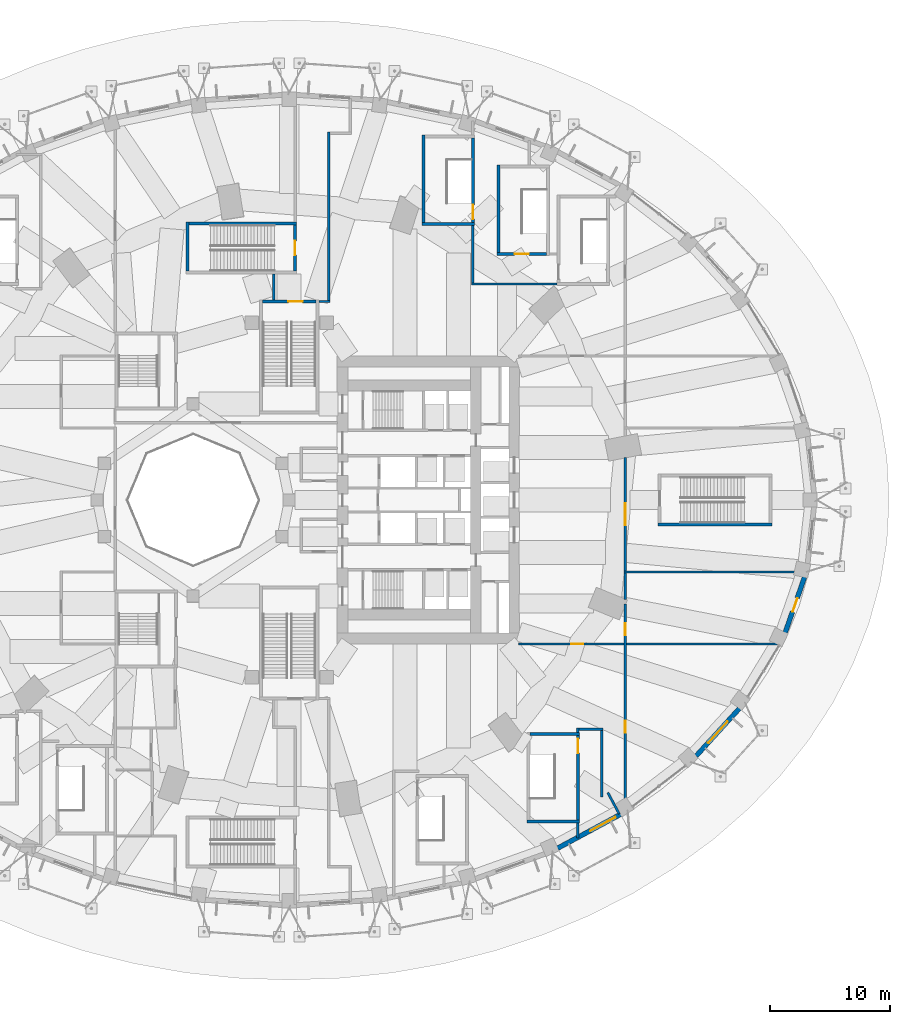
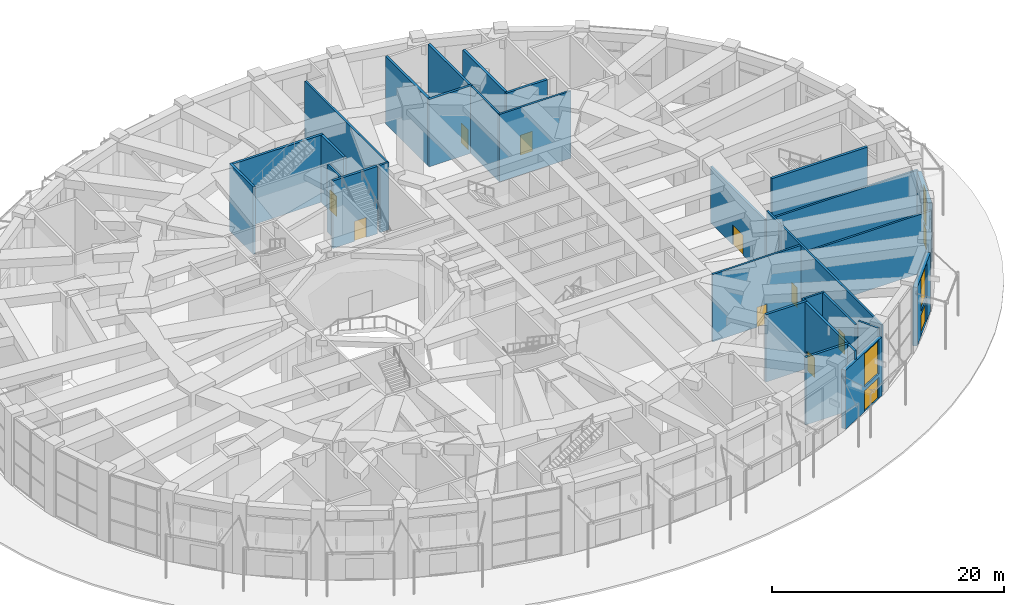
# One storey, part 38 of 60: 32 walls, 12 doors, 3 windows, 15 openings.
"""IFC4 building model written with IfcOpenShell, lengths in metres."""

from ifc_helpers import new_model, si_unit, direction, frame, frame_2d, origin, place, context, subcontext, project, spatial, rectangle, extrude, material, layer, layer_set, type_object, element, fill, save


model = new_model("IFC4")

# Units and contexts
model_context = context("Model", 3, precision=1e-05, world=origin(), true_north=direction((0.0, 1.0)))
body_context = subcontext(model_context, "Body", "Model", "MODEL_VIEW")
ifc_project = project(units=[si_unit("LENGTHUNIT", "METRE"), si_unit("AREAUNIT", "SQUARE_METRE"), si_unit("VOLUMEUNIT", "CUBIC_METRE"), si_unit("PLANEANGLEUNIT", "RADIAN"), si_unit("MASSUNIT", "GRAM", prefix="KILO")], contexts=[model_context])

# Site, building, storey
site_placement = place(None, origin())
site = spatial("IfcSite", under=ifc_project, at=site_placement, CompositionType="ELEMENT")
building_placement = place(site_placement, origin())
building = spatial("IfcBuilding", under=site, at=building_placement, Name="Taillehof Tower", CompositionType="ELEMENT")
storey_placement = place(building_placement, origin())
storey = spatial("IfcBuildingStorey", under=building, at=storey_placement, Name="L00", CompositionType="ELEMENT", Elevation=0.0)

# Wall, openings, door, window
ifc_material_1 = material(Name="Brick masonry", Category="masonry")
ifc_layer_1 = layer(ifc_material_1, 0.39990234375)
ifc_layer_set_1 = layer_set([ifc_layer_1], Name="Brick facade wall 400")
wall_type_1 = type_object("IfcWallType", Name="Brick facade wall 400", PredefinedType="SOLIDWALL", material=ifc_layer_set_1)
wall_1_placement = place(storey_placement, frame((22.365966796875, -29.018798828125, 0.0), z_axis=(0.0, 0.0, 1.0), x_axis=(0.880313157301, 0.474393028072, 0.0)))
wall_1 = element("IfcWall", 1, at=wall_1_placement, inside=storey, type_object=wall_type_1, Name="Brick wall L00 bay 31", PredefinedType="SOLIDWALL", context=body_context, shape_type="SweptSolid", body=[
    extrude(rectangle(XDim=5.9580078125, YDim=0.39990234375, at=frame_2d((2.97900390625, 0.0))), origin(), (0.0, 0.0, 1.0), 6.18994140625),
])
opening_1_placement = place(wall_1_placement, frame((3.078857421875, 0.0, 0.0)))
opening_1 = element("IfcOpeningElement", 2, at=opening_1_placement, cuts=wall_1, Name="Opening E22", PredefinedType="OPENING", context=body_context, shape_type="SweptSolid", body=[
    extrude(rectangle(XDim=2.39990234375, YDim=2.199951171875, at=frame_2d((1.199951171875, 1.10009765625))), frame((0.0, 0.2099609375, 0.0), z_axis=(0.0, -1.0, 0.0), x_axis=(1.0, 0.0, 0.0)), (0.0, 0.0, 1.0), 0.419921875),
])
opening_2_placement = place(wall_1_placement, frame((3.078857421875, 0.0, 2.60009765625)))
opening_2 = element("IfcOpeningElement", 3, at=opening_2_placement, cuts=wall_1, Name="Opening FL1", PredefinedType="OPENING", context=body_context, shape_type="SweptSolid", body=[
    extrude(rectangle(XDim=2.39990234375, YDim=3.489990234375, at=frame_2d((1.199951171875, 1.7451171875))), frame((0.0, 0.2099609375, 0.0), z_axis=(0.0, -1.0, 0.0), x_axis=(1.0, 0.0, 0.0)), (0.0, 0.0, 1.0), 0.419921875),
])
ifc_material_2 = material(Name="Aluminium door frame with clear laminated safety glass", Category="aluminium")
door_type_1 = type_object("IfcDoorType", Name="Exit door 2400x2200", OperationType="DOUBLE_DOOR_DOUBLE_SWING", PredefinedType="DOOR", material=ifc_material_2)
door_1_placement = place(opening_1_placement, frame((2.39990234375, 0.0, 0.0), z_axis=(0.0, 0.0, 1.0), x_axis=(-1.0, 0.0, 0.0)))
door_1 = element("IfcDoor", 4, at=door_1_placement, inside=storey, type_object=door_type_1, Name="Door E22", OperationType="DOUBLE_DOOR_SINGLE_SWING", OverallHeight=2.199951171875, OverallWidth=2.39990234375, PredefinedType="DOOR", context=body_context, shape_type="SweptSolid", body=[
    extrude(rectangle(XDim=2.39990234375, YDim=2.199951171875, at=frame_2d((1.199951171875, 1.10009765625))), frame((0.0, 0.0498046875, 0.0), z_axis=(0.0, -1.0, 0.0), x_axis=(1.0, 0.0, 0.0)), (0.0, 0.0, 1.0), 0.050048828125),
])
fill(opening_1, door_1)
ifc_material_3 = material(Name="Aluminium window frame with clear laminated safety glass", Category="aluminium")
window_type_1 = type_object("IfcWindowType", Name="Fixed fanlight 2400x3490", PartitioningType="SINGLE_PANEL", PredefinedType="WINDOW", material=ifc_material_3)
window_1_placement = place(opening_2_placement, origin())
window_1 = element("IfcWindow", 5, at=window_1_placement, inside=storey, type_object=window_type_1, Name="Fanlight over E22", OverallHeight=3.489990234375, OverallWidth=2.39990234375, PartitioningType="SINGLE_PANEL", PredefinedType="WINDOW", context=body_context, shape_type="SweptSolid", body=[
    extrude(rectangle(XDim=2.39990234375, YDim=3.489990234375, at=frame_2d((1.199951171875, 1.7451171875))), frame((0.0, 0.010009765625, 0.0), z_axis=(0.0, -1.0, 0.0), x_axis=(1.0, 0.0, 0.0)), (0.0, 0.0, 1.0), 0.06005859375),
])
fill(opening_2, window_1)

wall_2_placement = place(storey_placement, frame((33.90185546875, -21.33935546875, 0.0), z_axis=(0.0, 0.0, 1.0), x_axis=(0.672941720846, 0.739695505153, 0.0)))
wall_2 = element("IfcWall", 6, at=wall_2_placement, inside=storey, type_object=wall_type_1, Name="Brick wall L00 bay 33", PredefinedType="SOLIDWALL", context=body_context, shape_type="SweptSolid", body=[
    extrude(rectangle(XDim=5.376220703125, YDim=0.39990234375, at=frame_2d((2.68798828125, 0.0))), origin(), (0.0, 0.0, 1.0), 6.18994140625),
])
opening_3_placement = place(wall_2_placement, frame((1.488037109375, 0.0, 0.0)))
opening_3 = element("IfcOpeningElement", 7, at=opening_3_placement, cuts=wall_2, Name="Opening E13", PredefinedType="OPENING", context=body_context, shape_type="SweptSolid", body=[
    extrude(rectangle(XDim=2.39990234375, YDim=2.199951171875, at=frame_2d((1.199951171875, 1.10009765625))), frame((0.0, 0.2099609375, 0.0), z_axis=(0.0, -1.0, 0.0), x_axis=(1.0, 0.0, 0.0)), (0.0, 0.0, 1.0), 0.419921875),
])
opening_4_placement = place(wall_2_placement, frame((1.488037109375, 0.0, 2.60009765625)))
opening_4 = element("IfcOpeningElement", 8, at=opening_4_placement, cuts=wall_2, Name="Opening FL1", PredefinedType="OPENING", context=body_context, shape_type="SweptSolid", body=[
    extrude(rectangle(XDim=2.39990234375, YDim=3.489990234375, at=frame_2d((1.199951171875, 1.7451171875))), frame((0.0, 0.2099609375, 0.0), z_axis=(0.0, -1.0, 0.0), x_axis=(1.0, 0.0, 0.0)), (0.0, 0.0, 1.0), 0.419921875),
])
door_2_placement = place(opening_3_placement, frame((2.39990234375, 0.0, 0.0), z_axis=(0.0, 0.0, 1.0), x_axis=(-1.0, 0.0, 0.0)))
door_2 = element("IfcDoor", 9, at=door_2_placement, inside=storey, type_object=door_type_1, Name="Door E13", OperationType="DOUBLE_DOOR_SINGLE_SWING", OverallHeight=2.199951171875, OverallWidth=2.39990234375, PredefinedType="DOOR", context=body_context, shape_type="SweptSolid", body=[
    extrude(rectangle(XDim=2.39990234375, YDim=2.199951171875, at=frame_2d((1.199951171875, 1.10009765625))), frame((0.0, 0.0498046875, 0.0), z_axis=(0.0, -1.0, 0.0), x_axis=(1.0, 0.0, 0.0)), (0.0, 0.0, 1.0), 0.050048828125),
])
fill(opening_3, door_2)
window_2_placement = place(opening_4_placement, origin())
window_2 = element("IfcWindow", 10, at=window_2_placement, inside=storey, type_object=window_type_1, Name="Fanlight over E13", OverallHeight=3.489990234375, OverallWidth=2.39990234375, PartitioningType="SINGLE_PANEL", PredefinedType="WINDOW", context=body_context, shape_type="SweptSolid", body=[
    extrude(rectangle(XDim=2.39990234375, YDim=3.489990234375, at=frame_2d((1.199951171875, 1.7451171875))), frame((0.0, 0.010009765625, 0.0), z_axis=(0.0, -1.0, 0.0), x_axis=(1.0, 0.0, 0.0)), (0.0, 0.0, 1.0), 0.06005859375),
])
fill(opening_4, window_2)

# Wall, openings, window, door
wall_3_placement = place(storey_placement, frame((41.33203125, -11.052001953125, 0.0), z_axis=(0.0, 0.0, 1.0), x_axis=(0.328772164332, 0.944409267193, 0.0)))
wall_3 = element("IfcWall", 11, at=wall_3_placement, inside=storey, type_object=wall_type_1, Name="Brick wall L00 bay 35", PredefinedType="SOLIDWALL", context=body_context, shape_type="SweptSolid", body=[
    extrude(rectangle(XDim=4.8935546875, YDim=0.39990234375, at=frame_2d((2.44677734375, 0.0))), origin(), (0.0, 0.0, 1.0), 6.18994140625),
])
opening_5_placement = place(wall_3_placement, frame((1.846923828125, 0.0, 0.0)))
opening_5 = element("IfcOpeningElement", 12, at=opening_5_placement, cuts=wall_3, Name="Opening D0092", PredefinedType="OPENING", context=body_context, shape_type="SweptSolid", body=[
    extrude(rectangle(XDim=1.199951171875, YDim=2.10009765625, at=frame_2d((0.60009765625, 1.050048828125))), frame((0.0, 0.2099609375, 0.0), z_axis=(0.0, -1.0, 0.0), x_axis=(1.0, 0.0, 0.0)), (0.0, 0.0, 1.0), 0.419921875),
])
opening_6_placement = place(wall_3_placement, frame((1.846923828125, 0.0, 2.5)))
opening_6 = element("IfcOpeningElement", 13, at=opening_6_placement, cuts=wall_3, Name="Opening FL3", PredefinedType="OPENING", context=body_context, shape_type="SweptSolid", body=[
    extrude(rectangle(XDim=1.199951171875, YDim=3.590087890625, at=frame_2d((0.60009765625, 1.794921875))), frame((0.0, 0.2099609375, 0.0), z_axis=(0.0, -1.0, 0.0), x_axis=(1.0, 0.0, 0.0)), (0.0, 0.0, 1.0), 0.419921875),
])
ifc_material_4 = material(Name="Aluminium window frame with clear laminated safety glass", Category="aluminium")
window_type_2 = type_object("IfcWindowType", Name="Fixed fanlight 1200x3590", PartitioningType="SINGLE_PANEL", PredefinedType="WINDOW", material=ifc_material_4)
window_3_placement = place(opening_6_placement, origin())
window_3 = element("IfcWindow", 14, at=window_3_placement, inside=storey, type_object=window_type_2, Name="Fanlight over D0092", OverallHeight=3.590087890625, OverallWidth=1.199951171875, PartitioningType="SINGLE_PANEL", PredefinedType="WINDOW", context=body_context, shape_type="SweptSolid", body=[
    extrude(rectangle(XDim=1.199951171875, YDim=3.590087890625, at=frame_2d((0.60009765625, 1.794921875))), frame((0.0, 0.010009765625, 0.0), z_axis=(0.0, -1.0, 0.0), x_axis=(1.0, 0.0, 0.0)), (0.0, 0.0, 1.0), 0.06005859375),
])
fill(opening_6, window_3)
ifc_material_5 = material(Name="Aluminium door frame with clear laminated safety glass", Category="aluminium")
door_type_2 = type_object("IfcDoorType", Name="Service door 1200x2100", OperationType="SINGLE_SWING_RIGHT", PredefinedType="DOOR", material=ifc_material_5)
door_3_placement = place(opening_5_placement, frame((1.199951171875, 0.0, 0.0), z_axis=(0.0, 0.0, 1.0), x_axis=(-1.0, 0.0, 0.0)))
door_3 = element("IfcDoor", 15, at=door_3_placement, inside=storey, type_object=door_type_2, Name="Door D0092", OperationType="SINGLE_SWING_RIGHT", OverallHeight=2.10009765625, OverallWidth=1.199951171875, PredefinedType="DOOR", context=body_context, shape_type="SweptSolid", body=[
    extrude(rectangle(XDim=1.199951171875, YDim=2.10009765625, at=frame_2d((0.60009765625, 1.050048828125))), frame((0.0, 0.0498046875, 0.0), z_axis=(0.0, -1.0, 0.0), x_axis=(1.0, 0.0, 0.0)), (0.0, 0.0, 1.0), 0.050048828125),
])
fill(opening_5, door_3)

# Walls
ifc_material_6 = material(Name="Calcium silicate blockwork", Category="masonry")
ifc_layer_2 = layer(ifc_material_6, 0.199951171875)
ifc_layer_set_2 = layer_set([ifc_layer_2], Name="Compartment wall EI 60 200 mm")
wall_type_2 = type_object("IfcWallType", Name="Compartment wall EI 60 200 mm", PredefinedType="PARTITIONING", material=ifc_layer_set_2)
wall_4_placement = place(storey_placement, frame((27.505126953125, -26.162841796875, 0.0), z_axis=(0.0, 0.0, 1.0), x_axis=(-0.474409096955, 0.880304497731, 0.0)))
element("IfcWall", 16, at=wall_4_placement, inside=storey, type_object=wall_type_2, Name="Wall L00-36 / L00-40", PredefinedType="PARTITIONING", context=body_context, shape_type="SweptSolid", body=[
    extrude(rectangle(XDim=2.02392578125, YDim=0.199951171875, at=frame_2d((1.011962890625, 0.0))), origin(), (0.0, 0.0, 1.0), 7.090087890625),
])
wall_5_placement = place(storey_placement, frame((24.14990234375, -19.10009765625, 0.0), z_axis=(0.0, 0.0, 1.0), x_axis=(1.0, 0.0, 0.0)))
element("IfcWall", 17, at=wall_5_placement, inside=storey, type_object=wall_type_2, Name="Wall L00-36 / L00-40", PredefinedType="PARTITIONING", context=body_context, shape_type="SweptSolid", body=[
    extrude(rectangle(XDim=2.0, YDim=0.199951171875, at=frame_2d((1.0, 0.0))), origin(), (0.0, 0.0, 1.0), 7.090087890625),
])

# Wall, opening, door
wall_6_placement = place(storey_placement, frame((19.10009765625, -12.0, 0.0), z_axis=(0.0, 0.0, 1.0), x_axis=(1.0, 0.0, 0.0)))
wall_6 = element("IfcWall", 18, at=wall_6_placement, inside=storey, type_object=wall_type_2, Name="Wall L00-27 / L00-36", PredefinedType="PARTITIONING", context=body_context, shape_type="SweptSolid", body=[
    extrude(rectangle(XDim=8.7998046875, YDim=0.199951171875, at=frame_2d((4.39990234375, 0.0))), origin(), (0.0, 0.0, 1.0), 7.090087890625),
])
opening_7_placement = place(wall_6_placement, frame((4.39990234375, 0.0, 0.0)))
opening_7 = element("IfcOpeningElement", 19, at=opening_7_placement, cuts=wall_6, Name="Opening D0053", PredefinedType="OPENING", context=body_context, shape_type="SweptSolid", body=[
    extrude(rectangle(XDim=1.0, YDim=2.10009765625, at=frame_2d((0.5, 1.050048828125))), frame((0.0, 0.10986328125, 0.0), z_axis=(0.0, -1.0, 0.0), x_axis=(1.0, 0.0, 0.0)), (0.0, 0.0, 1.0), 0.219970703125),
])
ifc_material_7 = material(Name="Hollow metal door set")
door_type_3 = type_object("IfcDoorType", Name="Single door 1000 x 2100 FD60S", OperationType="SINGLE_SWING_LEFT", PredefinedType="DOOR", material=ifc_material_7)
door_4_placement = place(opening_7_placement, origin())
door_4 = element("IfcDoor", 20, at=door_4_placement, inside=storey, type_object=door_type_3, Name="Door D0053", OperationType="SINGLE_SWING_LEFT", OverallHeight=2.10009765625, OverallWidth=1.0, PredefinedType="DOOR", context=body_context, shape_type="SweptSolid", body=[
    extrude(rectangle(XDim=1.0, YDim=2.10009765625, at=frame_2d((0.5, 1.050048828125))), frame((0.0, 0.02490234375, 0.0), z_axis=(0.0, -1.0, 0.0), x_axis=(1.0, 0.0, 0.0)), (0.0, 0.0, 1.0), 0.050048828125),
])
fill(opening_7, door_4)

# Walls
wall_7_placement = place(storey_placement, frame((28.10009765625, -12.0, 0.0), z_axis=(0.0, 0.0, 1.0), x_axis=(1.0, 0.0, 0.0)))
element("IfcWall", 21, at=wall_7_placement, inside=storey, type_object=wall_type_2, Name="Wall L00-28 / L00-31", PredefinedType="PARTITIONING", context=body_context, shape_type="SweptSolid", body=[
    extrude(rectangle(XDim=12.766845703125, YDim=0.199951171875, at=frame_2d((6.38330078125, 0.0))), origin(), (0.0, 0.0, 1.0), 6.18994140625),
])
wall_8_placement = place(storey_placement, frame((27.89990234375, -6.0, 0.0), z_axis=(0.0, 0.0, 1.0), x_axis=(1.0, 0.0, 0.0)))
element("IfcWall", 22, at=wall_8_placement, inside=storey, type_object=wall_type_2, Name="Wall L00-28 / L00-30", PredefinedType="PARTITIONING", context=body_context, shape_type="SweptSolid", body=[
    extrude(rectangle(XDim=15.125, YDim=0.199951171875, at=frame_2d((7.5625, 0.0))), origin(), (0.0, 0.0, 1.0), 6.090087890625),
])
wall_9_placement = place(storey_placement, frame((2.47509765625, 16.544921875, 0.0), z_axis=(0.0, 0.0, 1.0), x_axis=(1.0, 0.0, 0.0)))
element("IfcWall", 23, at=wall_9_placement, inside=storey, type_object=wall_type_2, Name="Wall L00-33 / L00-37", PredefinedType="PARTITIONING", context=body_context, shape_type="SweptSolid", body=[
    extrude(rectangle(XDim=0.9248046875, YDim=0.199951171875, at=frame_2d((0.46240234375, 0.0))), origin(), (0.0, 0.0, 1.0), 7.090087890625),
])
wall_10_placement = place(storey_placement, frame((15.199951171875, 18.0, 0.0), z_axis=(0.0, 0.0, 1.0), x_axis=(1.0, 0.0, 0.0)))
element("IfcWall", 24, at=wall_10_placement, inside=storey, type_object=wall_type_2, Name="Wall L00-37 / L00-43", PredefinedType="PARTITIONING", context=body_context, shape_type="SweptSolid", body=[
    extrude(rectangle(XDim=7.125, YDim=0.199951171875, at=frame_2d((3.5625, 0.0))), origin(), (0.0, 0.0, 1.0), 7.090087890625),
])
wall_11_placement = place(storey_placement, frame((-1.300048828125, 16.669921875, 0.0), z_axis=(0.0, 0.0, 1.0), x_axis=(0.0, 1.0, 0.0)))
element("IfcWall", 25, at=wall_11_placement, inside=storey, type_object=wall_type_2, Name="Wall L00-33 / L00-37", PredefinedType="PARTITIONING", context=body_context, shape_type="SweptSolid", body=[
    extrude(rectangle(XDim=2.155029296875, YDim=0.199951171875, at=frame_2d((1.07763671875, 0.0))), origin(), (0.0, 0.0, 1.0), 7.090087890625),
])
wall_12_placement = place(storey_placement, frame((3.300048828125, 16.64501953125, 0.0), z_axis=(0.0, 0.0, 1.0), x_axis=(0.0, 1.0, 0.0)))
element("IfcWall", 26, at=wall_12_placement, inside=storey, type_object=wall_type_2, Name="Wall L00-33 / L00-37", PredefinedType="PARTITIONING", context=body_context, shape_type="SweptSolid", body=[
    extrude(rectangle(XDim=14.0048828125, YDim=0.199951171875, at=frame_2d((7.00244140625, 0.0))), origin(), (0.0, 0.0, 1.0), 7.090087890625),
])
wall_13_placement = place(storey_placement, frame((15.300048828125, 18.10009765625, 0.0), z_axis=(0.0, 0.0, 1.0), x_axis=(0.0, 1.0, 0.0)))
element("IfcWall", 27, at=wall_13_placement, inside=storey, type_object=wall_type_2, Name="Wall L00-37 / L00-43", PredefinedType="PARTITIONING", context=body_context, shape_type="SweptSolid", body=[
    extrude(rectangle(XDim=4.77490234375, YDim=0.199951171875, at=frame_2d((2.387451171875, 0.0))), origin(), (0.0, 0.0, 1.0), 7.090087890625),
])
wall_14_placement = place(storey_placement, frame((24.050048828125, -28.156494140625, 0.0), z_axis=(0.0, 0.0, 1.0), x_axis=(0.0, 1.0, 0.0)))
element("IfcWall", 28, at=wall_14_placement, inside=storey, type_object=wall_type_2, Name="Wall L00-36 / L00-40", PredefinedType="PARTITIONING", context=body_context, shape_type="SweptSolid", body=[
    extrude(rectangle(XDim=1.241455078125, YDim=0.199951171875, at=frame_2d((0.62060546875, 0.0))), origin(), (0.0, 0.0, 1.0), 7.090087890625),
])
wall_15_placement = place(storey_placement, frame((24.050048828125, -19.375, 0.0), z_axis=(0.0, 0.0, 1.0), x_axis=(0.0, 1.0, 0.0)))
element("IfcWall", 29, at=wall_15_placement, inside=storey, type_object=wall_type_2, Name="Wall L00-36 / L00-40", PredefinedType="PARTITIONING", context=body_context, shape_type="SweptSolid", body=[
    extrude(rectangle(XDim=0.375, YDim=0.199951171875, at=frame_2d((0.1875, 0.0))), origin(), (0.0, 0.0, 1.0), 7.090087890625),
])
wall_16_placement = place(storey_placement, frame((26.050048828125, -24.747802734375, 0.0), z_axis=(0.0, 0.0, 1.0), x_axis=(0.0, 1.0, 0.0)))
element("IfcWall", 30, at=wall_16_placement, inside=storey, type_object=wall_type_2, Name="Wall L00-36 / L00-40", PredefinedType="PARTITIONING", context=body_context, shape_type="SweptSolid", body=[
    extrude(rectangle(XDim=5.5478515625, YDim=0.199951171875, at=frame_2d((2.77392578125, 0.0))), origin(), (0.0, 0.0, 1.0), 7.090087890625),
])

# Wall, openings, doors
wall_17_placement = place(storey_placement, frame((28.0, -25.931884765625, 0.0), z_axis=(0.0, 0.0, 1.0), x_axis=(0.0, 1.0, 0.0)))
wall_17 = element("IfcWall", 31, at=wall_17_placement, inside=storey, type_object=wall_type_2, Name="Wall L00-31 / L00-36", PredefinedType="PARTITIONING", context=body_context, shape_type="SweptSolid", body=[
    extrude(rectangle(XDim=17.2548828125, YDim=0.199951171875, at=frame_2d((8.62744140625, 0.0))), origin(), (0.0, 0.0, 1.0), 7.090087890625),
])
opening_8_placement = place(wall_17_placement, frame((14.642822265625, 0.0, 0.0)))
opening_8 = element("IfcOpeningElement", 32, at=opening_8_placement, cuts=wall_17, Name="Opening D0054", PredefinedType="OPENING", context=body_context, shape_type="SweptSolid", body=[
    extrude(rectangle(XDim=1.0, YDim=2.10009765625, at=frame_2d((0.5, 1.050048828125))), frame((0.0, 0.10986328125, 0.0), z_axis=(0.0, -1.0, 0.0), x_axis=(1.0, 0.0, 0.0)), (0.0, 0.0, 1.0), 0.219970703125),
])
opening_9_placement = place(wall_17_placement, frame((6.515869140625, 0.0, 0.0)))
opening_9 = element("IfcOpeningElement", 33, at=opening_9_placement, cuts=wall_17, Name="Opening D0049", PredefinedType="OPENING", context=body_context, shape_type="SweptSolid", body=[
    extrude(rectangle(XDim=1.0, YDim=2.10009765625, at=frame_2d((0.5, 1.050048828125))), frame((0.0, 0.10986328125, 0.0), z_axis=(0.0, -1.0, 0.0), x_axis=(1.0, 0.0, 0.0)), (0.0, 0.0, 1.0), 0.219970703125),
])
door_5_placement = place(opening_8_placement, origin())
door_5 = element("IfcDoor", 34, at=door_5_placement, inside=storey, type_object=door_type_3, Name="Door D0054", OperationType="SINGLE_SWING_RIGHT", OverallHeight=2.10009765625, OverallWidth=1.0, PredefinedType="DOOR", context=body_context, shape_type="SweptSolid", body=[
    extrude(rectangle(XDim=1.0, YDim=2.10009765625, at=frame_2d((0.5, 1.050048828125))), frame((0.0, 0.02490234375, 0.0), z_axis=(0.0, -1.0, 0.0), x_axis=(1.0, 0.0, 0.0)), (0.0, 0.0, 1.0), 0.050048828125),
])
fill(opening_8, door_5)
door_6_placement = place(opening_9_placement, origin())
door_6 = element("IfcDoor", 35, at=door_6_placement, inside=storey, type_object=door_type_3, Name="Door D0049", OperationType="SINGLE_SWING_RIGHT", OverallHeight=2.10009765625, OverallWidth=1.0, PredefinedType="DOOR", context=body_context, shape_type="SweptSolid", body=[
    extrude(rectangle(XDim=1.0, YDim=2.10009765625, at=frame_2d((0.5, 1.050048828125))), frame((0.0, 0.02490234375, 0.0), z_axis=(0.0, -1.0, 0.0), x_axis=(1.0, 0.0, 0.0)), (0.0, 0.0, 1.0), 0.050048828125),
])
fill(opening_9, door_6)

# Wall
wall_18_placement = place(storey_placement, frame((28.0, -8.297607421875, 0.0), z_axis=(0.0, 0.0, 1.0), x_axis=(0.0, 1.0, 0.0)))
element("IfcWall", 36, at=wall_18_placement, inside=storey, type_object=wall_type_2, Name="Wall L00-27 / L00-28", PredefinedType="PARTITIONING", context=body_context, shape_type="SweptSolid", body=[
    extrude(rectangle(XDim=2.197509765625, YDim=0.199951171875, at=frame_2d((1.0986328125, 0.0))), origin(), (0.0, 0.0, 1.0), 7.090087890625),
])

# Wall, opening, door
wall_19_placement = place(storey_placement, frame((28.0, -5.89990234375, 0.0), z_axis=(0.0, 0.0, 1.0), x_axis=(0.0, 1.0, 0.0)))
wall_19 = element("IfcWall", 37, at=wall_19_placement, inside=storey, type_object=wall_type_2, Name="Wall L00-27 / L00-30", PredefinedType="PARTITIONING", context=body_context, shape_type="SweptSolid", body=[
    extrude(rectangle(XDim=9.42431640625, YDim=0.199951171875, at=frame_2d((4.712158203125, 0.0))), origin(), (0.0, 0.0, 1.0), 5.93994140625),
])
opening_10_placement = place(wall_19_placement, frame((3.81201171875, 0.0, 0.0)))
opening_10 = element("IfcOpeningElement", 38, at=opening_10_placement, cuts=wall_19, Name="Opening D0059", PredefinedType="OPENING", context=body_context, shape_type="SweptSolid", body=[
    extrude(rectangle(XDim=1.800048828125, YDim=2.10009765625, at=frame_2d((0.89990234375, 1.050048828125))), frame((0.0, 0.10986328125, 0.0), z_axis=(0.0, -1.0, 0.0), x_axis=(1.0, 0.0, 0.0)), (0.0, 0.0, 1.0), 0.219970703125),
])
ifc_material_8 = material(Name="Hollow metal door set")
door_type_4 = type_object("IfcDoorType", Name="Double door 1800 x 2100 FD60S", OperationType="DOUBLE_DOOR_SINGLE_SWING", PredefinedType="DOOR", material=ifc_material_8)
door_7_placement = place(opening_10_placement, origin())
door_7 = element("IfcDoor", 39, at=door_7_placement, inside=storey, type_object=door_type_4, Name="Door D0059", OperationType="DOUBLE_DOOR_SINGLE_SWING", OverallHeight=2.10009765625, OverallWidth=1.800048828125, PredefinedType="DOOR", context=body_context, shape_type="SweptSolid", body=[
    extrude(rectangle(XDim=1.800048828125, YDim=2.10009765625, at=frame_2d((0.89990234375, 1.050048828125))), frame((0.0, 0.02490234375, 0.0), z_axis=(0.0, -1.0, 0.0), x_axis=(1.0, 0.0, 0.0)), (0.0, 0.0, 1.0), 0.050048828125),
])
fill(opening_10, door_7)

# Walls
ifc_material_9 = material(Name="Concrete C40/50", Category="concrete")
ifc_layer_3 = layer(ifc_material_9, 0.25)
ifc_layer_set_3 = layer_set([ifc_layer_3], Name="Stair wall EI 120 250 mm")
wall_type_3 = type_object("IfcWallType", Name="Stair wall EI 120 250 mm", PredefinedType="SOLIDWALL", material=ifc_layer_set_3)
wall_20_placement = place(storey_placement, frame((19.824951171875, -26.7900390625, 0.0), z_axis=(0.0, 0.0, 1.0), x_axis=(1.0, 0.0, 0.0)))
element("IfcWall", 40, at=wall_20_placement, inside=storey, type_object=wall_type_3, Name="Wall L00-09 / L00-36", PredefinedType="SOLIDWALL", context=body_context, shape_type="SweptSolid", body=[
    extrude(rectangle(XDim=4.35009765625, YDim=0.25, at=frame_2d((2.175048828125, 0.0))), origin(), (0.0, 0.0, 1.0), 7.090087890625),
])
wall_21_placement = place(storey_placement, frame((20.074951171875, -19.5, 0.0), z_axis=(0.0, 0.0, 1.0), x_axis=(1.0, 0.0, 0.0)))
element("IfcWall", 41, at=wall_21_placement, inside=storey, type_object=wall_type_3, Name="Wall L00-09 / L00-36", PredefinedType="SOLIDWALL", context=body_context, shape_type="SweptSolid", body=[
    extrude(rectangle(XDim=4.10009765625, YDim=0.25, at=frame_2d((2.050048828125, 0.0))), origin(), (0.0, 0.0, 1.0), 7.090087890625),
])
wall_22_placement = place(storey_placement, frame((30.75, -2.050048828125, 0.0), z_axis=(0.0, 0.0, 1.0), x_axis=(1.0, 0.0, 0.0)))
element("IfcWall", 42, at=wall_22_placement, inside=storey, type_object=wall_type_3, Name="Wall L00-05 / L00-30", PredefinedType="SOLIDWALL", context=body_context, shape_type="SweptSolid", body=[
    extrude(rectangle(XDim=9.5, YDim=0.25, at=frame_2d((4.75, 0.0))), origin(), (0.0, 0.0, 1.0), 7.090087890625),
])

# Wall, opening, door
wall_23_placement = place(storey_placement, frame((-2.22509765625, 16.544921875, 0.0), z_axis=(0.0, 0.0, 1.0), x_axis=(1.0, 0.0, 0.0)))
wall_23 = element("IfcWall", 43, at=wall_23_placement, inside=storey, type_object=wall_type_3, Name="Wall L00-01 / L00-37", PredefinedType="SOLIDWALL", context=body_context, shape_type="SweptSolid", body=[
    extrude(rectangle(XDim=4.4501953125, YDim=0.25, at=frame_2d((2.22509765625, 0.0))), origin(), (0.0, 0.0, 1.0), 7.090087890625),
])
opening_11_placement = place(wall_23_placement, frame((2.14990234375, 0.0, 0.0)))
opening_11 = element("IfcOpeningElement", 44, at=opening_11_placement, cuts=wall_23, Name="Opening D0069", PredefinedType="OPENING", context=body_context, shape_type="SweptSolid", body=[
    extrude(rectangle(XDim=1.199951171875, YDim=2.10009765625, at=frame_2d((0.60009765625, 1.050048828125))), frame((0.0, 0.135009765625, 0.0), z_axis=(0.0, -1.0, 0.0), x_axis=(1.0, 0.0, 0.0)), (0.0, 0.0, 1.0), 0.27001953125),
])
ifc_material_10 = material(Name="Hollow metal door set")
door_type_5 = type_object("IfcDoorType", Name="Single door 1200 x 2100 FD120S", OperationType="SINGLE_SWING_LEFT", PredefinedType="DOOR", material=ifc_material_10)
door_8_placement = place(opening_11_placement, origin())
door_8 = element("IfcDoor", 45, at=door_8_placement, inside=storey, type_object=door_type_5, Name="Door D0069", OperationType="SINGLE_SWING_LEFT", OverallHeight=2.10009765625, OverallWidth=1.199951171875, PredefinedType="DOOR", context=body_context, shape_type="SweptSolid", body=[
    extrude(rectangle(XDim=1.199951171875, YDim=2.10009765625, at=frame_2d((0.60009765625, 1.050048828125))), frame((0.0, 0.02490234375, 0.0), z_axis=(0.0, -1.0, 0.0), x_axis=(1.0, 0.0, 0.0)), (0.0, 0.0, 1.0), 0.050048828125),
])
fill(opening_11, door_8)

wall_24_placement = place(storey_placement, frame((17.324951171875, 20.5, 0.0), z_axis=(0.0, 0.0, 1.0), x_axis=(1.0, 0.0, 0.0)))
wall_24 = element("IfcWall", 46, at=wall_24_placement, inside=storey, type_object=wall_type_3, Name="Wall L00-12 / L00-43", PredefinedType="SOLIDWALL", context=body_context, shape_type="SweptSolid", body=[
    extrude(rectangle(XDim=4.10009765625, YDim=0.25, at=frame_2d((2.050048828125, 0.0))), origin(), (0.0, 0.0, 1.0), 7.090087890625),
])
opening_12_placement = place(wall_24_placement, frame((1.449951171875, 0.0, 0.0)))
opening_12 = element("IfcOpeningElement", 47, at=opening_12_placement, cuts=wall_24, Name="Opening D0073", PredefinedType="OPENING", context=body_context, shape_type="SweptSolid", body=[
    extrude(rectangle(XDim=1.199951171875, YDim=2.10009765625, at=frame_2d((0.60009765625, 1.050048828125))), frame((0.0, 0.135009765625, 0.0), z_axis=(0.0, -1.0, 0.0), x_axis=(1.0, 0.0, 0.0)), (0.0, 0.0, 1.0), 0.27001953125),
])
door_9_placement = place(opening_12_placement, origin())
door_9 = element("IfcDoor", 48, at=door_9_placement, inside=storey, type_object=door_type_5, Name="Door D0073", OperationType="SINGLE_SWING_LEFT", OverallHeight=2.10009765625, OverallWidth=1.199951171875, PredefinedType="DOOR", context=body_context, shape_type="SweptSolid", body=[
    extrude(rectangle(XDim=1.199951171875, YDim=2.10009765625, at=frame_2d((0.60009765625, 1.050048828125))), frame((0.0, 0.02490234375, 0.0), z_axis=(0.0, -1.0, 0.0), x_axis=(1.0, 0.0, 0.0)), (0.0, 0.0, 1.0), 0.050048828125),
])
fill(opening_12, door_9)

# Walls
wall_25_placement = place(storey_placement, frame((11.074951171875, 23.0, 0.0), z_axis=(0.0, 0.0, 1.0), x_axis=(1.0, 0.0, 0.0)))
element("IfcWall", 49, at=wall_25_placement, inside=storey, type_object=wall_type_3, Name="Wall L00-08 / L00-37", PredefinedType="SOLIDWALL", context=body_context, shape_type="SweptSolid", body=[
    extrude(rectangle(XDim=4.35009765625, YDim=0.25, at=frame_2d((2.175048828125, 0.0))), origin(), (0.0, 0.0, 1.0), 7.090087890625),
])
wall_26_placement = place(storey_placement, frame((-8.360107421875, 23.050048828125, 0.0), z_axis=(0.0, 0.0, 1.0), x_axis=(1.0, 0.0, 0.0)))
element("IfcWall", 50, at=wall_26_placement, inside=storey, type_object=wall_type_3, Name="Wall L00-03 / L00-37", PredefinedType="SOLIDWALL", context=body_context, shape_type="SweptSolid", body=[
    extrude(rectangle(XDim=8.97021484375, YDim=0.25, at=frame_2d((4.485107421875, 0.0))), origin(), (0.0, 0.0, 1.0), 7.090087890625),
])
wall_27_placement = place(storey_placement, frame((-8.485107421875, 19.074951171875, 0.0), z_axis=(0.0, 0.0, 1.0), x_axis=(0.0, 1.0, 0.0)))
element("IfcWall", 51, at=wall_27_placement, inside=storey, type_object=wall_type_3, Name="Wall L00-03 / L00-37", PredefinedType="SOLIDWALL", context=body_context, shape_type="SweptSolid", body=[
    extrude(rectangle(XDim=4.10009765625, YDim=0.25, at=frame_2d((2.050048828125, 0.0))), origin(), (0.0, 0.0, 1.0), 7.090087890625),
])

# Wall, opening, door
wall_28_placement = place(storey_placement, frame((0.485107421875, 19.074951171875, 0.0), z_axis=(0.0, 0.0, 1.0), x_axis=(0.0, 1.0, 0.0)))
wall_28 = element("IfcWall", 52, at=wall_28_placement, inside=storey, type_object=wall_type_3, Name="Wall L00-03 / L00-33", PredefinedType="SOLIDWALL", context=body_context, shape_type="SweptSolid", body=[
    extrude(rectangle(XDim=3.85009765625, YDim=0.25, at=frame_2d((1.925048828125, 0.0))), origin(), (0.0, 0.0, 1.0), 7.090087890625),
])
opening_13_placement = place(wall_28_placement, frame((1.324951171875, 0.0, 0.0)))
opening_13 = element("IfcOpeningElement", 53, at=opening_13_placement, cuts=wall_28, Name="Opening D0074", PredefinedType="OPENING", context=body_context, shape_type="SweptSolid", body=[
    extrude(rectangle(XDim=1.199951171875, YDim=2.10009765625, at=frame_2d((0.60009765625, 1.050048828125))), frame((0.0, 0.135009765625, 0.0), z_axis=(0.0, -1.0, 0.0), x_axis=(1.0, 0.0, 0.0)), (0.0, 0.0, 1.0), 0.27001953125),
])
door_10_placement = place(opening_13_placement, origin())
door_10 = element("IfcDoor", 54, at=door_10_placement, inside=storey, type_object=door_type_5, Name="Door D0074", OperationType="SINGLE_SWING_RIGHT", OverallHeight=2.10009765625, OverallWidth=1.199951171875, PredefinedType="DOOR", context=body_context, shape_type="SweptSolid", body=[
    extrude(rectangle(XDim=1.199951171875, YDim=2.10009765625, at=frame_2d((0.60009765625, 1.050048828125))), frame((0.0, 0.02490234375, 0.0), z_axis=(0.0, -1.0, 0.0), x_axis=(1.0, 0.0, 0.0)), (0.0, 0.0, 1.0), 0.050048828125),
])
fill(opening_13, door_10)

# Wall
wall_29_placement = place(storey_placement, frame((11.199951171875, 23.125, 0.0), z_axis=(0.0, 0.0, 1.0), x_axis=(0.0, 1.0, 0.0)))
element("IfcWall", 55, at=wall_29_placement, inside=storey, type_object=wall_type_3, Name="Wall L00-08 / L00-37", PredefinedType="SOLIDWALL", context=body_context, shape_type="SweptSolid", body=[
    extrude(rectangle(XDim=7.2900390625, YDim=0.25, at=frame_2d((3.64501953125, 0.0))), origin(), (0.0, 0.0, 1.0), 7.090087890625),
])

# Wall, opening, door
wall_30_placement = place(storey_placement, frame((15.300048828125, 23.125, 0.0), z_axis=(0.0, 0.0, 1.0), x_axis=(0.0, 1.0, 0.0)))
wall_30 = element("IfcWall", 56, at=wall_30_placement, inside=storey, type_object=wall_type_3, Name="Wall L00-08 / L00-43", PredefinedType="SOLIDWALL", context=body_context, shape_type="SweptSolid", body=[
    extrude(rectangle(XDim=7.0400390625, YDim=0.25, at=frame_2d((3.52001953125, 0.0))), origin(), (0.0, 0.0, 1.0), 7.090087890625),
])
opening_14_placement = place(wall_30_placement, frame((0.27490234375, 0.0, 0.0)))
opening_14 = element("IfcOpeningElement", 57, at=opening_14_placement, cuts=wall_30, Name="Opening D0076", PredefinedType="OPENING", context=body_context, shape_type="SweptSolid", body=[
    extrude(rectangle(XDim=1.199951171875, YDim=2.10009765625, at=frame_2d((0.60009765625, 1.050048828125))), frame((0.0, 0.135009765625, 0.0), z_axis=(0.0, -1.0, 0.0), x_axis=(1.0, 0.0, 0.0)), (0.0, 0.0, 1.0), 0.27001953125),
])
door_11_placement = place(opening_14_placement, origin())
door_11 = element("IfcDoor", 58, at=door_11_placement, inside=storey, type_object=door_type_5, Name="Door D0076", OperationType="SINGLE_SWING_RIGHT", OverallHeight=2.10009765625, OverallWidth=1.199951171875, PredefinedType="DOOR", context=body_context, shape_type="SweptSolid", body=[
    extrude(rectangle(XDim=1.199951171875, YDim=2.10009765625, at=frame_2d((0.60009765625, 1.050048828125))), frame((0.0, 0.02490234375, 0.0), z_axis=(0.0, -1.0, 0.0), x_axis=(1.0, 0.0, 0.0)), (0.0, 0.0, 1.0), 0.050048828125),
])
fill(opening_14, door_11)

# Wall
wall_31_placement = place(storey_placement, frame((17.449951171875, 20.625, 0.0), z_axis=(0.0, 0.0, 1.0), x_axis=(0.0, 1.0, 0.0)))
element("IfcWall", 59, at=wall_31_placement, inside=storey, type_object=wall_type_3, Name="Wall L00-12 / L00-43", PredefinedType="SOLIDWALL", context=body_context, shape_type="SweptSolid", body=[
    extrude(rectangle(XDim=7.2900390625, YDim=0.25, at=frame_2d((3.64501953125, 0.0))), origin(), (0.0, 0.0, 1.0), 7.090087890625),
])

# Wall, opening, door
wall_32_placement = place(storey_placement, frame((24.050048828125, -26.6650390625, 0.0), z_axis=(0.0, 0.0, 1.0), x_axis=(0.0, 1.0, 0.0)))
wall_32 = element("IfcWall", 60, at=wall_32_placement, inside=storey, type_object=wall_type_3, Name="Wall L00-09 / L00-40", PredefinedType="SOLIDWALL", context=body_context, shape_type="SweptSolid", body=[
    extrude(rectangle(XDim=7.0400390625, YDim=0.25, at=frame_2d((3.52001953125, 0.0))), origin(), (0.0, 0.0, 1.0), 7.090087890625),
])
opening_15_placement = place(wall_32_placement, frame((5.56494140625, 0.0, 0.0)))
opening_15 = element("IfcOpeningElement", 61, at=opening_15_placement, cuts=wall_32, Name="Opening D0047", PredefinedType="OPENING", context=body_context, shape_type="SweptSolid", body=[
    extrude(rectangle(XDim=1.199951171875, YDim=2.10009765625, at=frame_2d((0.60009765625, 1.050048828125))), frame((0.0, 0.135009765625, 0.0), z_axis=(0.0, -1.0, 0.0), x_axis=(1.0, 0.0, 0.0)), (0.0, 0.0, 1.0), 0.27001953125),
])
door_12_placement = place(opening_15_placement, origin())
door_12 = element("IfcDoor", 62, at=door_12_placement, inside=storey, type_object=door_type_5, Name="Door D0047", OperationType="SINGLE_SWING_LEFT", OverallHeight=2.10009765625, OverallWidth=1.199951171875, PredefinedType="DOOR", context=body_context, shape_type="SweptSolid", body=[
    extrude(rectangle(XDim=1.199951171875, YDim=2.10009765625, at=frame_2d((0.60009765625, 1.050048828125))), frame((0.0, 0.02490234375, 0.0), z_axis=(0.0, -1.0, 0.0), x_axis=(1.0, 0.0, 0.0)), (0.0, 0.0, 1.0), 0.050048828125),
])
fill(opening_15, door_12)

save(model, "model.ifc")
